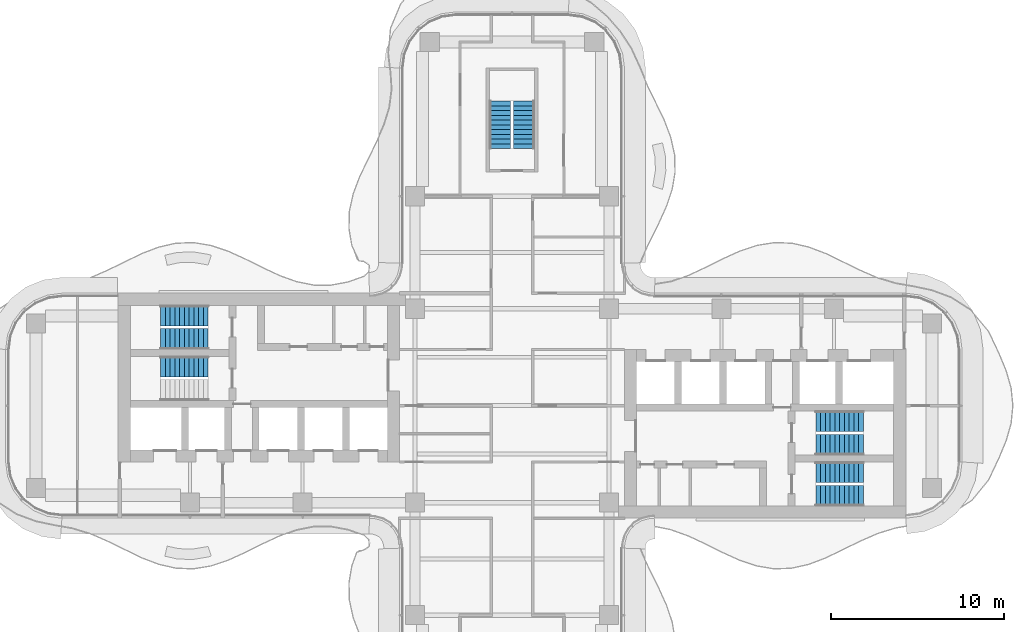
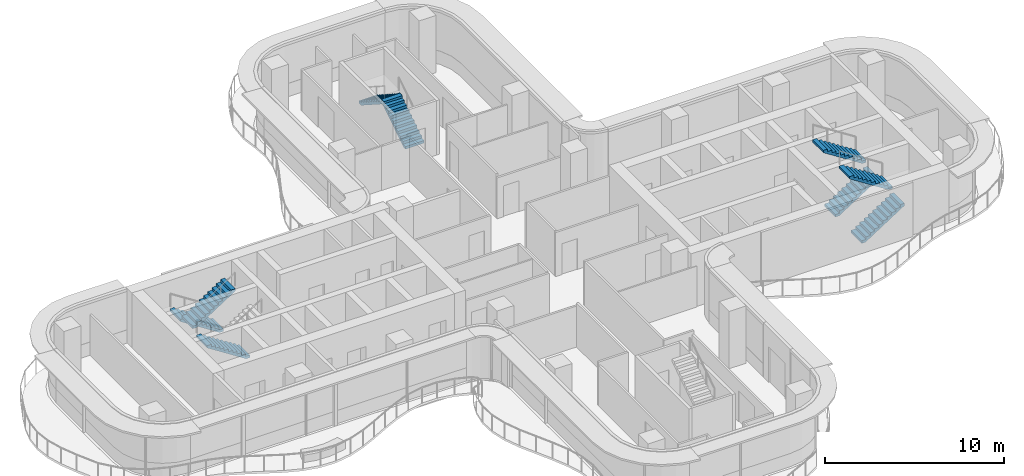
# One storey, part 14 of 16: 9 stair flights, 5 elements without a shape of their own.
"""IFC4 building model written with IfcOpenShell, lengths in metres."""

from ifc_helpers import new_model, si_unit, direction, frame, origin, place, context, subcontext, project, spatial, polyline, outline, extrude, source, transform, mapped, material, type_object, element, aggregate, save


model = new_model("IFC4")

# Units and contexts
model_context = context("Model", 3, precision=1e-05, world=origin(), true_north=direction((0.0, 1.0)))
body_context = subcontext(model_context, "Body", "Model", "MODEL_VIEW")
ifc_project = project(units=[si_unit("LENGTHUNIT", "METRE"), si_unit("AREAUNIT", "SQUARE_METRE"), si_unit("VOLUMEUNIT", "CUBIC_METRE"), si_unit("PLANEANGLEUNIT", "RADIAN"), si_unit("MASSUNIT", "GRAM", prefix="KILO")], contexts=[model_context])

# Site, building, storey
site_placement = place(None, origin())
site = spatial("IfcSite", under=ifc_project, at=site_placement, CompositionType="ELEMENT")
building_placement = place(site_placement, origin())
building = spatial("IfcBuilding", under=site, at=building_placement, Name="Trellis Farm Tower", CompositionType="ELEMENT")
storey_placement = place(building_placement, frame((0.0, 0.0, 251.89990234375)))
storey = spatial("IfcBuildingStorey", under=building, at=storey_placement, Name="L56", CompositionType="ELEMENT", Elevation=251.89990234375)

# Stair, stair flights
ifc_material = material(Name="Concrete C50/60", Category="concrete")
stair_type = type_object("IfcStairType", Name="CORE EXIT STAIR 22 RISERS 177 MM", PredefinedType="HALF_TURN_STAIR", material=ifc_material)
placement = place(storey_placement, origin())
stair_1 = element("IfcStair", 1, at=placement, inside=storey, type_object=stair_type, Name="Exit stair N", PredefinedType="HALF_TURN_STAIR")
stair_flight_type = type_object("IfcStairFlightType", Name="STAIR FLIGHT 11 RISERS 177 MM", PredefinedType="STRAIGHT", material=ifc_material)
shared_shape = source(origin(), body_context, "Body", "SweptSolid", [
    extrude(outline(polyline([(0.0, 0.0), (0.0, 0.17724609375), (0.27490234375, 0.17724609375), (0.27490234375, 0.3544921875), (0.550048828125, 0.3544921875), (0.550048828125, 0.53173828125), (0.824951171875, 0.53173828125), (0.824951171875, 0.708984375), (1.10009765625, 0.708984375), (1.10009765625, 0.886474609375), (1.375, 0.886474609375), (1.375, 1.063720703125), (1.64990234375, 1.063720703125), (1.64990234375, 1.240966796875), (1.925048828125, 1.240966796875), (1.925048828125, 1.418212890625), (2.199951171875, 1.418212890625), (2.199951171875, 1.595458984375), (2.47509765625, 1.595458984375), (2.47509765625, 1.772705078125), (2.75, 1.772705078125), (2.75, 1.949951171875), (2.75, 1.6181640625), (0.23974609375, 0.0), (0.0, 0.0)])), frame((0.0, 0.60009765625, 0.0), z_axis=(0.0, -1.0, 0.0), x_axis=(1.0, 0.0, 0.0)), (0.0, 0.0, 1.0), 1.199951171875),
])
stair_flight_1_placement = place(storey_placement, frame((0.699951171875, 14.85009765625, 0.0), z_axis=(0.0, 0.0, 1.0), x_axis=(0.0, 1.0, 0.0)))
stair_flight_1 = element("IfcStairFlight", 2, at=stair_flight_1_placement, type_object=stair_flight_type, Name="STN flight 1", NumberOfRisers=11, NumberOfTreads=10, PredefinedType="STRAIGHT", RiserHeight=0.177272727, TreadLength=0.275, context=body_context, shape_type="MappedRepresentation", body=[
    mapped(shared_shape, transform((0.0, 0.0, 0.0))),
])
stair_flight_2_placement = place(storey_placement, frame((-0.699951171875, 17.60009765625, 1.9501953125), z_axis=(0.0, 0.0, 1.0), x_axis=(0.0, -1.0, 0.0)))
stair_flight_2 = element("IfcStairFlight", 3, at=stair_flight_2_placement, type_object=stair_flight_type, Name="STN flight 2", NumberOfRisers=11, NumberOfTreads=10, PredefinedType="STRAIGHT", RiserHeight=0.177272727, TreadLength=0.275, context=body_context, shape_type="MappedRepresentation", body=[
    mapped(shared_shape, transform((0.0, 0.0, 0.0))),
])
aggregate(stair_1, [stair_flight_1, stair_flight_2])

stair_2 = element("IfcStair", 4, at=placement, inside=storey, type_object=stair_type, Name="Exit stair E1", PredefinedType="HALF_TURN_STAIR")
stair_flight_3_placement = place(storey_placement, frame((17.550048828125, -5.199951171875, 0.0), z_axis=(0.0, 0.0, 1.0), x_axis=(1.0, 0.0, 0.0)))
stair_flight_3 = element("IfcStairFlight", 5, at=stair_flight_3_placement, type_object=stair_flight_type, Name="STE1 flight 1", NumberOfRisers=11, NumberOfTreads=10, PredefinedType="STRAIGHT", RiserHeight=0.177272727, TreadLength=0.275, context=body_context, shape_type="MappedRepresentation", body=[
    mapped(shared_shape, transform((0.0, 0.0, 0.0))),
])
stair_flight_4_placement = place(storey_placement, frame((20.300048828125, -3.85009765625, 1.9501953125), z_axis=(0.0, 0.0, 1.0), x_axis=(-1.0, 0.0, 0.0)))
stair_flight_4 = element("IfcStairFlight", 6, at=stair_flight_4_placement, type_object=stair_flight_type, Name="STE1 flight 2", NumberOfRisers=11, NumberOfTreads=10, PredefinedType="STRAIGHT", RiserHeight=0.177272727, TreadLength=0.275, context=body_context, shape_type="MappedRepresentation", body=[
    mapped(shared_shape, transform((0.0, 0.0, 0.0))),
])
aggregate(stair_2, [stair_flight_3, stair_flight_4])

stair_3 = element("IfcStair", 7, at=placement, inside=storey, type_object=stair_type, Name="Exit stair E2", PredefinedType="HALF_TURN_STAIR")
stair_flight_5_placement = place(storey_placement, frame((17.550048828125, -2.25, 0.0), z_axis=(0.0, 0.0, 1.0), x_axis=(1.0, 0.0, 0.0)))
stair_flight_5 = element("IfcStairFlight", 8, at=stair_flight_5_placement, type_object=stair_flight_type, Name="STE2 flight 1", NumberOfRisers=11, NumberOfTreads=10, PredefinedType="STRAIGHT", RiserHeight=0.177272727, TreadLength=0.275, context=body_context, shape_type="MappedRepresentation", body=[
    mapped(shared_shape, transform((0.0, 0.0, 0.0))),
])
stair_flight_6_placement = place(storey_placement, frame((20.300048828125, -0.89990234375, 1.9501953125), z_axis=(0.0, 0.0, 1.0), x_axis=(-1.0, 0.0, 0.0)))
stair_flight_6 = element("IfcStairFlight", 9, at=stair_flight_6_placement, type_object=stair_flight_type, Name="STE2 flight 2", NumberOfRisers=11, NumberOfTreads=10, PredefinedType="STRAIGHT", RiserHeight=0.177272727, TreadLength=0.275, context=body_context, shape_type="MappedRepresentation", body=[
    mapped(shared_shape, transform((0.0, 0.0, 0.0))),
])
aggregate(stair_3, [stair_flight_5, stair_flight_6])

stair_4 = element("IfcStair", 10, at=placement, inside=storey, type_object=stair_type, Name="Exit stair W1", PredefinedType="HALF_TURN_STAIR")
stair_flight_7_placement = place(storey_placement, frame((-17.550048828125, 5.199951171875, 0.0), z_axis=(0.0, 0.0, 1.0), x_axis=(-1.0, 0.0, 0.0)))
stair_flight_7 = element("IfcStairFlight", 11, at=stair_flight_7_placement, type_object=stair_flight_type, Name="STW1 flight 1", NumberOfRisers=11, NumberOfTreads=10, PredefinedType="STRAIGHT", RiserHeight=0.177272727, TreadLength=0.275, context=body_context, shape_type="MappedRepresentation", body=[
    mapped(shared_shape, transform((0.0, 0.0, 0.0))),
])
stair_flight_8_placement = place(storey_placement, frame((-20.300048828125, 3.85009765625, 1.9501953125), z_axis=(0.0, 0.0, 1.0), x_axis=(1.0, 0.0, 0.0)))
stair_flight_8 = element("IfcStairFlight", 12, at=stair_flight_8_placement, type_object=stair_flight_type, Name="STW1 flight 2", NumberOfRisers=11, NumberOfTreads=10, PredefinedType="STRAIGHT", RiserHeight=0.177272727, TreadLength=0.275, context=body_context, shape_type="MappedRepresentation", body=[
    mapped(shared_shape, transform((0.0, 0.0, 0.0))),
])
aggregate(stair_4, [stair_flight_7, stair_flight_8])

# Stair, stair flight
stair_5 = element("IfcStair", 13, at=placement, inside=storey, type_object=stair_type, Name="Exit stair W2", PredefinedType="HALF_TURN_STAIR")
stair_flight_9_placement = place(storey_placement, frame((-17.550048828125, 2.25, 0.0), z_axis=(0.0, 0.0, 1.0), x_axis=(-1.0, 0.0, 0.0)))
stair_flight_9 = element("IfcStairFlight", 14, at=stair_flight_9_placement, type_object=stair_flight_type, Name="STW2 flight 1", NumberOfRisers=11, NumberOfTreads=10, PredefinedType="STRAIGHT", RiserHeight=0.177272727, TreadLength=0.275, context=body_context, shape_type="MappedRepresentation", body=[
    mapped(shared_shape, transform((0.0, 0.0, 0.0))),
])
aggregate(stair_5, [stair_flight_9])

save(model, "model.ifc")
